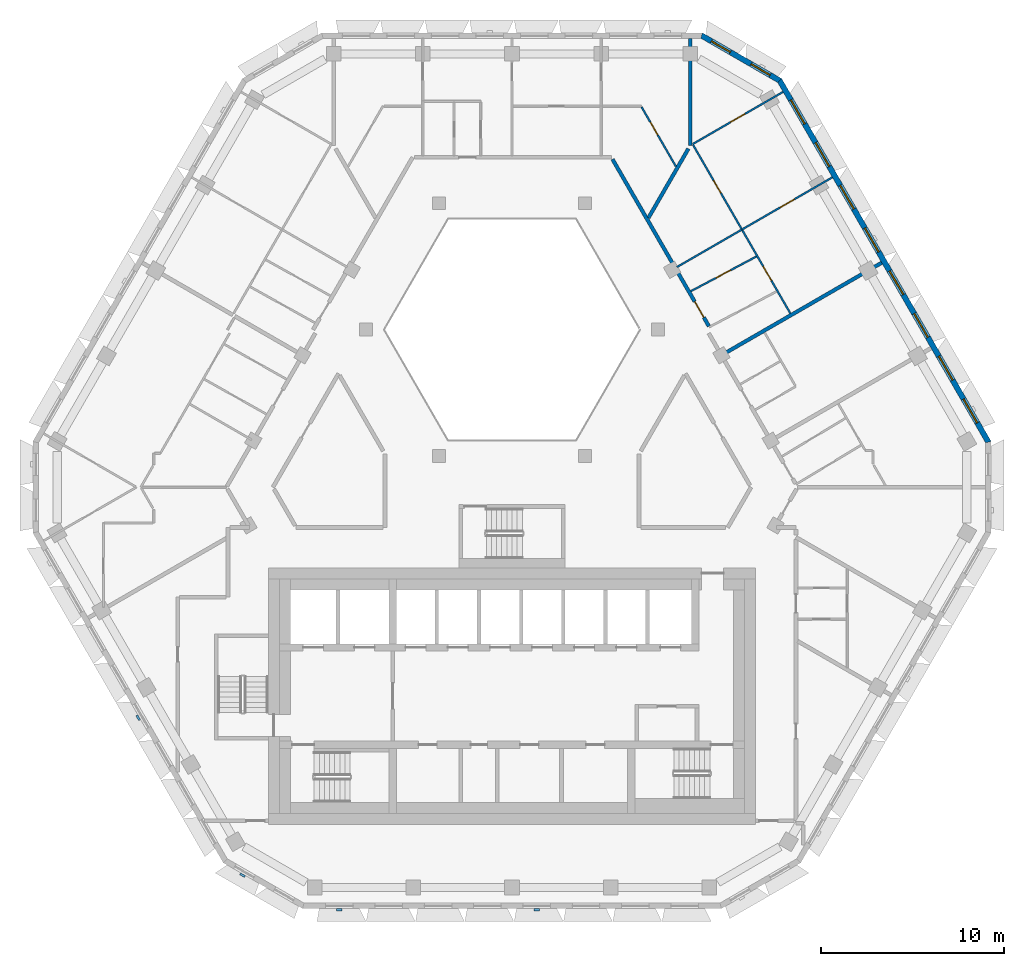
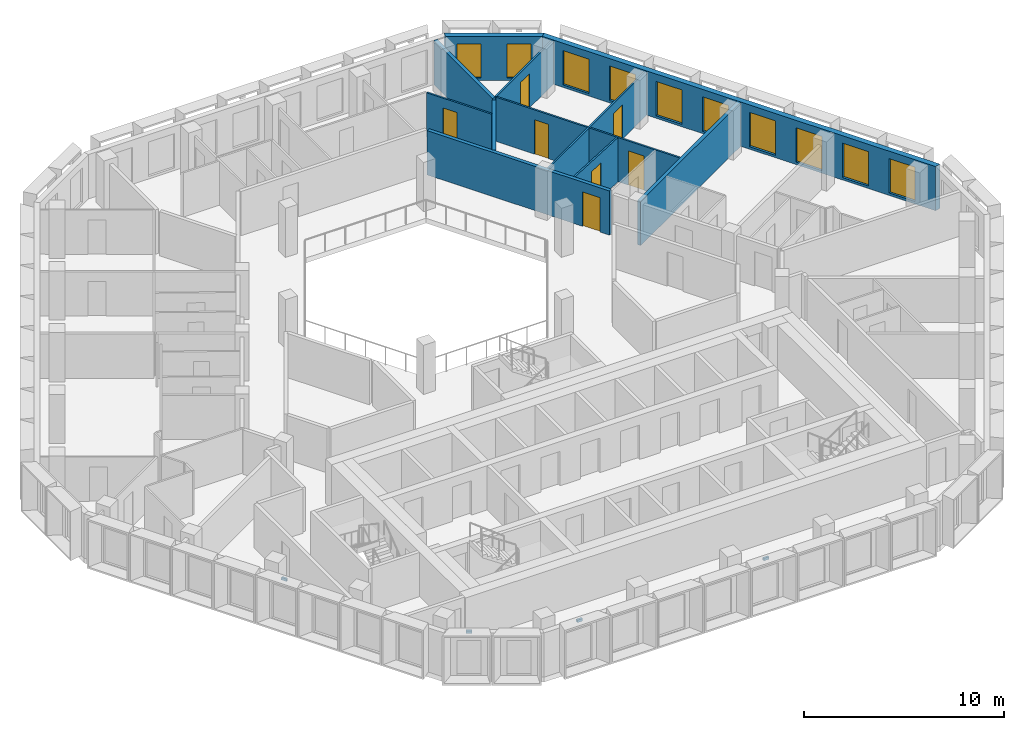
# One storey, part 9 of 18: 12 walls, 10 windows, 7 doors, 4 discrete accessories, 17 openings.
"""IFC4 building model written with IfcOpenShell, lengths in metres."""

from ifc_helpers import new_model, si_unit, direction, frame, frame_2d, origin, place, context, subcontext, project, spatial, polyline, rectangle, outline, extrude, source, transform, mapped, material, layer, layer_set, type_object, type_shapes, element, fill, save


model = new_model("IFC4")

# Units and contexts
model_context = context("Model", 3, precision=1e-05, world=origin(), true_north=direction((0.0, 1.0)))
body_context = subcontext(model_context, "Body", "Model", "MODEL_VIEW")
ifc_project = project(units=[si_unit("LENGTHUNIT", "METRE"), si_unit("AREAUNIT", "SQUARE_METRE"), si_unit("VOLUMEUNIT", "CUBIC_METRE"), si_unit("PLANEANGLEUNIT", "RADIAN"), si_unit("MASSUNIT", "GRAM", prefix="KILO")], contexts=[model_context])

# Site, building, storey
site_placement = place(None, origin())
site = spatial("IfcSite", under=ifc_project, at=site_placement, CompositionType="ELEMENT")
building_placement = place(site_placement, origin())
building = spatial("IfcBuilding", under=site, at=building_placement, Name="Beryl Residences", CompositionType="ELEMENT")
storey_placement = place(building_placement, frame((0.0, 0.0, 190.199951171875)))
storey = spatial("IfcBuildingStorey", under=building, at=storey_placement, Name="L58", CompositionType="ELEMENT", Elevation=190.199951171875)

# Wall, openings, windows
ifc_material_1 = material(Name="Composite metal panel with mineral wool insulation")
ifc_layer_1 = layer(ifc_material_1, 0.300048828125)
ifc_layer_set_1 = layer_set([ifc_layer_1], Name="ES1 pale metal composite panel wall 300 mm")
wall_type_1 = type_object("IfcWallType", Name="ES1 pale metal composite panel wall 300 mm", PredefinedType="SOLIDWALL", material=ifc_layer_set_1)
wall_1_placement = place(storey_placement, frame((26.02392578125, 1.824951171875, 0.0), z_axis=(0.0, 0.0, 1.0), x_axis=(-0.500010537973, 0.866019319597, 0.0)))
wall_1 = element("IfcWall", 1, at=wall_1_placement, inside=storey, type_object=wall_type_1, Name="ES1 external wall L58 NE", PredefinedType="SOLIDWALL", context=body_context, shape_type="SweptSolid", body=[
    extrude(outline(polyline([(0.0, -0.14990234375), (22.86328125, -0.14990234375), (22.782958984375, 0.14990234375), (0.080322265625, 0.14990234375), (0.0, -0.14990234375)])), origin(), (0.0, 0.0, 1.0), 2.699951171875),
])
opening_1_placement = place(wall_1_placement, frame((1.259033203125, 0.0, 0.14990234375)))
opening_1 = element("IfcOpeningElement", 2, at=opening_1_placement, cuts=wall_1, Name="Opening W1", PredefinedType="OPENING", context=body_context, shape_type="SweptSolid", body=[
    extrude(rectangle(XDim=1.5, YDim=2.10009765625, at=frame_2d((0.75, 1.050048828125))), frame((0.0, 0.159912109375, 0.0), z_axis=(0.0, -1.0, 0.0), x_axis=(1.0, 0.0, 0.0)), (0.0, 0.0, 1.0), 0.320068359375),
])
opening_2_placement = place(wall_1_placement, frame((3.951904296875, 0.0, 0.14990234375)))
opening_2 = element("IfcOpeningElement", 3, at=opening_2_placement, cuts=wall_1, Name="Opening W1", PredefinedType="OPENING", context=body_context, shape_type="SweptSolid", body=[
    extrude(rectangle(XDim=1.5, YDim=2.10009765625, at=frame_2d((0.75, 1.050048828125))), frame((0.0, 0.159912109375, 0.0), z_axis=(0.0, -1.0, 0.0), x_axis=(1.0, 0.0, 0.0)), (0.0, 0.0, 1.0), 0.320068359375),
])
opening_3_placement = place(wall_1_placement, frame((6.64404296875, 0.0, 0.14990234375)))
opening_3 = element("IfcOpeningElement", 4, at=opening_3_placement, cuts=wall_1, Name="Opening W1", PredefinedType="OPENING", context=body_context, shape_type="SweptSolid", body=[
    extrude(rectangle(XDim=1.5, YDim=2.10009765625, at=frame_2d((0.75, 1.050048828125))), frame((0.0, 0.159912109375, 0.0), z_axis=(0.0, -1.0, 0.0), x_axis=(1.0, 0.0, 0.0)), (0.0, 0.0, 1.0), 0.320068359375),
])
opening_4_placement = place(wall_1_placement, frame((9.3349609375, 0.0, 0.14990234375)))
opening_4 = element("IfcOpeningElement", 5, at=opening_4_placement, cuts=wall_1, Name="Opening W1", PredefinedType="OPENING", context=body_context, shape_type="SweptSolid", body=[
    extrude(rectangle(XDim=1.5, YDim=2.10009765625, at=frame_2d((0.75, 1.050048828125))), frame((0.0, 0.159912109375, 0.0), z_axis=(0.0, -1.0, 0.0), x_axis=(1.0, 0.0, 0.0)), (0.0, 0.0, 1.0), 0.320068359375),
])
opening_5_placement = place(wall_1_placement, frame((12.028076171875, 0.0, 0.14990234375)))
opening_5 = element("IfcOpeningElement", 6, at=opening_5_placement, cuts=wall_1, Name="Opening W1", PredefinedType="OPENING", context=body_context, shape_type="SweptSolid", body=[
    extrude(rectangle(XDim=1.5, YDim=2.10009765625, at=frame_2d((0.75, 1.050048828125))), frame((0.0, 0.159912109375, 0.0), z_axis=(0.0, -1.0, 0.0), x_axis=(1.0, 0.0, 0.0)), (0.0, 0.0, 1.0), 0.320068359375),
])
opening_6_placement = place(wall_1_placement, frame((14.719970703125, 0.0, 0.14990234375)))
opening_6 = element("IfcOpeningElement", 7, at=opening_6_placement, cuts=wall_1, Name="Opening W1", PredefinedType="OPENING", context=body_context, shape_type="SweptSolid", body=[
    extrude(rectangle(XDim=1.5, YDim=2.10009765625, at=frame_2d((0.75, 1.050048828125))), frame((0.0, 0.159912109375, 0.0), z_axis=(0.0, -1.0, 0.0), x_axis=(1.0, 0.0, 0.0)), (0.0, 0.0, 1.0), 0.320068359375),
])
opening_7_placement = place(wall_1_placement, frame((17.410888671875, 0.0, 0.14990234375)))
opening_7 = element("IfcOpeningElement", 8, at=opening_7_placement, cuts=wall_1, Name="Opening W1", PredefinedType="OPENING", context=body_context, shape_type="SweptSolid", body=[
    extrude(rectangle(XDim=1.5, YDim=2.10009765625, at=frame_2d((0.75, 1.050048828125))), frame((0.0, 0.159912109375, 0.0), z_axis=(0.0, -1.0, 0.0), x_axis=(1.0, 0.0, 0.0)), (0.0, 0.0, 1.0), 0.320068359375),
])
opening_8_placement = place(wall_1_placement, frame((20.10400390625, 0.0, 0.14990234375)))
opening_8 = element("IfcOpeningElement", 9, at=opening_8_placement, cuts=wall_1, Name="Opening W1", PredefinedType="OPENING", context=body_context, shape_type="SweptSolid", body=[
    extrude(rectangle(XDim=1.5, YDim=2.10009765625, at=frame_2d((0.75, 1.050048828125))), frame((0.0, 0.159912109375, 0.0), z_axis=(0.0, -1.0, 0.0), x_axis=(1.0, 0.0, 0.0)), (0.0, 0.0, 1.0), 0.320068359375),
])
ifc_material_2 = material(Name="Aluminium and clear glass", Category="aluminium")
window_type_1 = type_object("IfcWindowType", Name="W1 cell window 1500 x 2100 mm", PartitioningType="SINGLE_PANEL", PredefinedType="WINDOW", material=ifc_material_2)
window_1_placement = place(opening_1_placement, origin())
window_1 = element("IfcWindow", 10, at=window_1_placement, inside=storey, type_object=window_type_1, Name="W1 window L58 NE 1", OverallHeight=2.10009765625, OverallWidth=1.5, PartitioningType="SINGLE_PANEL", PredefinedType="WINDOW", context=body_context, shape_type="SweptSolid", body=[
    extrude(rectangle(XDim=1.5, YDim=2.10009765625, at=frame_2d((0.75, 1.050048828125))), frame((0.0, 0.030029296875, 0.0), z_axis=(0.0, -1.0, 0.0), x_axis=(1.0, 0.0, 0.0)), (0.0, 0.0, 1.0), 0.06005859375),
])
fill(opening_1, window_1)
window_2_placement = place(opening_2_placement, origin())
window_2 = element("IfcWindow", 11, at=window_2_placement, inside=storey, type_object=window_type_1, Name="W1 window L58 NE 2", OverallHeight=2.10009765625, OverallWidth=1.5, PartitioningType="SINGLE_PANEL", PredefinedType="WINDOW", context=body_context, shape_type="SweptSolid", body=[
    extrude(rectangle(XDim=1.5, YDim=2.10009765625, at=frame_2d((0.75, 1.050048828125))), frame((0.0, 0.030029296875, 0.0), z_axis=(0.0, -1.0, 0.0), x_axis=(1.0, 0.0, 0.0)), (0.0, 0.0, 1.0), 0.06005859375),
])
fill(opening_2, window_2)
window_3_placement = place(opening_3_placement, origin())
window_3 = element("IfcWindow", 12, at=window_3_placement, inside=storey, type_object=window_type_1, Name="W1 window L58 NE 3", OverallHeight=2.10009765625, OverallWidth=1.5, PartitioningType="SINGLE_PANEL", PredefinedType="WINDOW", context=body_context, shape_type="SweptSolid", body=[
    extrude(rectangle(XDim=1.5, YDim=2.10009765625, at=frame_2d((0.75, 1.050048828125))), frame((0.0, 0.030029296875, 0.0), z_axis=(0.0, -1.0, 0.0), x_axis=(1.0, 0.0, 0.0)), (0.0, 0.0, 1.0), 0.06005859375),
])
fill(opening_3, window_3)
window_4_placement = place(opening_4_placement, origin())
window_4 = element("IfcWindow", 13, at=window_4_placement, inside=storey, type_object=window_type_1, Name="W1 window L58 NE 4", OverallHeight=2.10009765625, OverallWidth=1.5, PartitioningType="SINGLE_PANEL", PredefinedType="WINDOW", context=body_context, shape_type="SweptSolid", body=[
    extrude(rectangle(XDim=1.5, YDim=2.10009765625, at=frame_2d((0.75, 1.050048828125))), frame((0.0, 0.030029296875, 0.0), z_axis=(0.0, -1.0, 0.0), x_axis=(1.0, 0.0, 0.0)), (0.0, 0.0, 1.0), 0.06005859375),
])
fill(opening_4, window_4)
window_5_placement = place(opening_5_placement, origin())
window_5 = element("IfcWindow", 14, at=window_5_placement, inside=storey, type_object=window_type_1, Name="W1 window L58 NE 5", OverallHeight=2.10009765625, OverallWidth=1.5, PartitioningType="SINGLE_PANEL", PredefinedType="WINDOW", context=body_context, shape_type="SweptSolid", body=[
    extrude(rectangle(XDim=1.5, YDim=2.10009765625, at=frame_2d((0.75, 1.050048828125))), frame((0.0, 0.030029296875, 0.0), z_axis=(0.0, -1.0, 0.0), x_axis=(1.0, 0.0, 0.0)), (0.0, 0.0, 1.0), 0.06005859375),
])
fill(opening_5, window_5)
window_6_placement = place(opening_6_placement, origin())
window_6 = element("IfcWindow", 15, at=window_6_placement, inside=storey, type_object=window_type_1, Name="W1 window L58 NE 6", OverallHeight=2.10009765625, OverallWidth=1.5, PartitioningType="SINGLE_PANEL", PredefinedType="WINDOW", context=body_context, shape_type="SweptSolid", body=[
    extrude(rectangle(XDim=1.5, YDim=2.10009765625, at=frame_2d((0.75, 1.050048828125))), frame((0.0, 0.030029296875, 0.0), z_axis=(0.0, -1.0, 0.0), x_axis=(1.0, 0.0, 0.0)), (0.0, 0.0, 1.0), 0.06005859375),
])
fill(opening_6, window_6)
window_7_placement = place(opening_7_placement, origin())
window_7 = element("IfcWindow", 16, at=window_7_placement, inside=storey, type_object=window_type_1, Name="W1 window L58 NE 7", OverallHeight=2.10009765625, OverallWidth=1.5, PartitioningType="SINGLE_PANEL", PredefinedType="WINDOW", context=body_context, shape_type="SweptSolid", body=[
    extrude(rectangle(XDim=1.5, YDim=2.10009765625, at=frame_2d((0.75, 1.050048828125))), frame((0.0, 0.030029296875, 0.0), z_axis=(0.0, -1.0, 0.0), x_axis=(1.0, 0.0, 0.0)), (0.0, 0.0, 1.0), 0.06005859375),
])
fill(opening_7, window_7)
window_8_placement = place(opening_8_placement, origin())
window_8 = element("IfcWindow", 17, at=window_8_placement, inside=storey, type_object=window_type_1, Name="W1 window L58 NE 8", OverallHeight=2.10009765625, OverallWidth=1.5, PartitioningType="SINGLE_PANEL", PredefinedType="WINDOW", context=body_context, shape_type="SweptSolid", body=[
    extrude(rectangle(XDim=1.5, YDim=2.10009765625, at=frame_2d((0.75, 1.050048828125))), frame((0.0, 0.030029296875, 0.0), z_axis=(0.0, -1.0, 0.0), x_axis=(1.0, 0.0, 0.0)), (0.0, 0.0, 1.0), 0.06005859375),
])
fill(opening_8, window_8)

wall_2_placement = place(storey_placement, frame((14.64697265625, 21.570068359375, 0.0), z_axis=(0.0, 0.0, 1.0), x_axis=(-0.866022959057, 0.500004234368, 0.0)))
wall_2 = element("IfcWall", 18, at=wall_2_placement, inside=storey, type_object=wall_type_1, Name="ES1 external wall L58 NE-N", PredefinedType="SOLIDWALL", context=body_context, shape_type="SweptSolid", body=[
    extrude(outline(polyline([(0.0, -0.14990234375), (5.0, -0.14990234375), (4.919677734375, 0.14990234375), (0.080322265625, 0.14990234375), (0.0, -0.14990234375)])), origin(), (0.0, 0.0, 1.0), 2.699951171875),
])
opening_9_placement = place(wall_2_placement, frame((0.64990234375, 0.0, 0.14990234375)))
opening_9 = element("IfcOpeningElement", 19, at=opening_9_placement, cuts=wall_2, Name="Opening W2", PredefinedType="OPENING", context=body_context, shape_type="SweptSolid", body=[
    extrude(rectangle(XDim=1.199951171875, YDim=2.10009765625, at=frame_2d((0.60009765625, 1.050048828125))), frame((0.0, 0.159912109375, 0.0), z_axis=(0.0, -1.0, 0.0), x_axis=(1.0, 0.0, 0.0)), (0.0, 0.0, 1.0), 0.320068359375),
])
opening_10_placement = place(wall_2_placement, frame((3.14990234375, 0.0, 0.14990234375)))
opening_10 = element("IfcOpeningElement", 20, at=opening_10_placement, cuts=wall_2, Name="Opening W2", PredefinedType="OPENING", context=body_context, shape_type="SweptSolid", body=[
    extrude(rectangle(XDim=1.199951171875, YDim=2.10009765625, at=frame_2d((0.60009765625, 1.050048828125))), frame((0.0, 0.159912109375, 0.0), z_axis=(0.0, -1.0, 0.0), x_axis=(1.0, 0.0, 0.0)), (0.0, 0.0, 1.0), 0.320068359375),
])
ifc_material_3 = material(Name="Aluminium and clear glass", Category="aluminium")
window_type_2 = type_object("IfcWindowType", Name="W2 chamfer window 1200 x 2100 mm", PartitioningType="SINGLE_PANEL", PredefinedType="WINDOW", material=ifc_material_3)
window_9_placement = place(opening_9_placement, origin())
window_9 = element("IfcWindow", 21, at=window_9_placement, inside=storey, type_object=window_type_2, Name="W2 window L58 NE-N 1", OverallHeight=2.10009765625, OverallWidth=1.199951171875, PartitioningType="SINGLE_PANEL", PredefinedType="WINDOW", context=body_context, shape_type="SweptSolid", body=[
    extrude(rectangle(XDim=1.199951171875, YDim=2.10009765625, at=frame_2d((0.60009765625, 1.050048828125))), frame((0.0, 0.030029296875, 0.0), z_axis=(0.0, -1.0, 0.0), x_axis=(1.0, 0.0, 0.0)), (0.0, 0.0, 1.0), 0.06005859375),
])
fill(opening_9, window_9)
window_10_placement = place(opening_10_placement, origin())
window_10 = element("IfcWindow", 22, at=window_10_placement, inside=storey, type_object=window_type_2, Name="W2 window L58 NE-N 2", OverallHeight=2.10009765625, OverallWidth=1.199951171875, PartitioningType="SINGLE_PANEL", PredefinedType="WINDOW", context=body_context, shape_type="SweptSolid", body=[
    extrude(rectangle(XDim=1.199951171875, YDim=2.10009765625, at=frame_2d((0.60009765625, 1.050048828125))), frame((0.0, 0.030029296875, 0.0), z_axis=(0.0, -1.0, 0.0), x_axis=(1.0, 0.0, 0.0)), (0.0, 0.0, 1.0), 0.06005859375),
])
fill(opening_10, window_10)

# Wall, opening, door
ifc_material_4 = material(Name="Gypsum board partition on steel studs", Category="steel")
ifc_layer_2 = layer(ifc_material_4, 0.10009765625)
ifc_layer_set_2 = layer_set([ifc_layer_2], Name="PT1 partition 100 mm gypsum board on steel studs")
wall_type_2 = type_object("IfcWallType", Name="PT1 partition 100 mm gypsum board on steel studs", PredefinedType="PARTITIONING", material=ifc_layer_set_2)
wall_3_placement = place(storey_placement, frame((7.072998046875, 20.14990234375, 0.0), z_axis=(0.0, 0.0, 1.0), x_axis=(0.499917691695, -0.866072919292, 0.0)))
wall_3 = element("IfcWall", 23, at=wall_3_placement, inside=storey, type_object=wall_type_2, Name="Wall PT1 L58 003", PredefinedType="PARTITIONING", context=body_context, shape_type="SweptSolid", body=[
    extrude(rectangle(XDim=3.752685546875, YDim=0.10009765625, at=frame_2d((1.87646484375, 0.0))), origin(), (0.0, 0.0, 1.0), 2.699951171875),
])
opening_11_placement = place(wall_3_placement, frame((0.9599609375, 0.0, 0.0)))
opening_11 = element("IfcOpeningElement", 24, at=opening_11_placement, cuts=wall_3, Name="Opening D1514", PredefinedType="OPENING", context=body_context, shape_type="SweptSolid", body=[
    extrude(rectangle(XDim=0.800048828125, YDim=2.10009765625, at=frame_2d((0.39990234375, 1.050048828125))), frame((0.0, 0.06005859375, 0.0), z_axis=(0.0, -1.0, 0.0), x_axis=(1.0, 0.0, 0.0)), (0.0, 0.0, 1.0), 0.1201171875),
])
ifc_material_5 = material(Name="Timber door leaf", Category="wood")
door_type_1 = type_object("IfcDoorType", Name="D3 bathroom door 800 x 2100 mm", OperationType="SINGLE_SWING_LEFT", PredefinedType="DOOR", material=ifc_material_5)
door_1_placement = place(opening_11_placement, origin())
door_1 = element("IfcDoor", 25, at=door_1_placement, inside=storey, type_object=door_type_1, Name="Door D1514 L58 001", OperationType="SINGLE_SWING_RIGHT", OverallHeight=2.10009765625, OverallWidth=0.800048828125, PredefinedType="DOOR", context=body_context, shape_type="SweptSolid", body=[
    extrude(rectangle(XDim=0.800048828125, YDim=2.10009765625, at=frame_2d((0.39990234375, 1.050048828125))), frame((0.0, 0.02490234375, 0.0), z_axis=(0.0, -1.0, 0.0), x_axis=(1.0, 0.0, 0.0)), (0.0, 0.0, 1.0), 0.050048828125),
])
fill(opening_11, door_1)

# Wall, openings, doors
wall_4_placement = place(storey_placement, frame((9.883056640625, 18.08203125, 0.0), z_axis=(0.0, 0.0, 1.0), x_axis=(0.500004428835, -0.86602284678, 0.0)))
wall_4 = element("IfcWall", 26, at=wall_4_placement, inside=storey, type_object=wall_type_2, Name="Wall PT1 L58 006", PredefinedType="PARTITIONING", context=body_context, shape_type="SweptSolid", body=[
    extrude(rectangle(XDim=10.61767578125, YDim=0.10009765625, at=frame_2d((5.308837890625, 0.0))), origin(), (0.0, 0.0, 1.0), 2.699951171875),
])
opening_12_placement = place(wall_4_placement, frame((7.656982421875, 0.0, 0.0)))
opening_12 = element("IfcOpeningElement", 27, at=opening_12_placement, cuts=wall_4, Name="Opening D1504", PredefinedType="OPENING", context=body_context, shape_type="SweptSolid", body=[
    extrude(rectangle(XDim=0.89990234375, YDim=2.10009765625, at=frame_2d((0.449951171875, 1.050048828125))), frame((0.0, 0.06005859375, 0.0), z_axis=(0.0, -1.0, 0.0), x_axis=(1.0, 0.0, 0.0)), (0.0, 0.0, 1.0), 0.1201171875),
])
opening_13_placement = place(wall_4_placement, frame((2.241943359375, 0.0, 0.0)))
opening_13 = element("IfcOpeningElement", 28, at=opening_13_placement, cuts=wall_4, Name="Opening D1507", PredefinedType="OPENING", context=body_context, shape_type="SweptSolid", body=[
    extrude(rectangle(XDim=0.800048828125, YDim=2.10009765625, at=frame_2d((0.39990234375, 1.050048828125))), frame((0.0, 0.06005859375, 0.0), z_axis=(0.0, -1.0, 0.0), x_axis=(1.0, 0.0, 0.0)), (0.0, 0.0, 1.0), 0.1201171875),
])
ifc_material_6 = material(Name="Timber door leaf", Category="wood")
door_type_2 = type_object("IfcDoorType", Name="D2 room door 900 x 2100 mm", OperationType="SINGLE_SWING_LEFT", PredefinedType="DOOR", material=ifc_material_6)
door_2_placement = place(opening_12_placement, origin())
door_2 = element("IfcDoor", 29, at=door_2_placement, inside=storey, type_object=door_type_2, Name="Door D1504 L58 001", OperationType="SINGLE_SWING_RIGHT", OverallHeight=2.10009765625, OverallWidth=0.89990234375, PredefinedType="DOOR", context=body_context, shape_type="SweptSolid", body=[
    extrude(rectangle(XDim=0.89990234375, YDim=2.10009765625, at=frame_2d((0.449951171875, 1.050048828125))), frame((0.0, 0.02490234375, 0.0), z_axis=(0.0, -1.0, 0.0), x_axis=(1.0, 0.0, 0.0)), (0.0, 0.0, 1.0), 0.050048828125),
])
fill(opening_12, door_2)
door_3_placement = place(opening_13_placement, origin())
door_3 = element("IfcDoor", 30, at=door_3_placement, inside=storey, type_object=door_type_1, Name="Door D1507 L58 001", OperationType="SINGLE_SWING_LEFT", OverallHeight=2.10009765625, OverallWidth=0.800048828125, PredefinedType="DOOR", context=body_context, shape_type="SweptSolid", body=[
    extrude(rectangle(XDim=0.800048828125, YDim=2.10009765625, at=frame_2d((0.39990234375, 1.050048828125))), frame((0.0, 0.02490234375, 0.0), z_axis=(0.0, -1.0, 0.0), x_axis=(1.0, 0.0, 0.0)), (0.0, 0.0, 1.0), 0.050048828125),
])
fill(opening_13, door_3)

# Wall, opening, door
wall_5_placement = place(storey_placement, frame((9.760009765625, 10.095947265625, 0.0), z_axis=(0.0, 0.0, 1.0), x_axis=(0.883925629136, 0.467627503636, 0.0)))
wall_5 = element("IfcWall", 31, at=wall_5_placement, inside=storey, type_object=wall_type_2, Name="Wall PT1 L58 040", PredefinedType="PARTITIONING", context=body_context, shape_type="SweptSolid", body=[
    extrude(rectangle(XDim=4.052490234375, YDim=0.10009765625, at=frame_2d((2.0263671875, 0.0))), origin(), (0.0, 0.0, 1.0), 2.699951171875),
])
opening_14_placement = place(wall_5_placement, frame((1.551025390625, 0.0, 0.0)))
opening_14 = element("IfcOpeningElement", 32, at=opening_14_placement, cuts=wall_5, Name="Opening D1503", PredefinedType="OPENING", context=body_context, shape_type="SweptSolid", body=[
    extrude(rectangle(XDim=0.89990234375, YDim=2.10009765625, at=frame_2d((0.449951171875, 1.050048828125))), frame((0.0, 0.06005859375, 0.0), z_axis=(0.0, -1.0, 0.0), x_axis=(1.0, 0.0, 0.0)), (0.0, 0.0, 1.0), 0.1201171875),
])
door_4_placement = place(opening_14_placement, origin())
door_4 = element("IfcDoor", 33, at=door_4_placement, inside=storey, type_object=door_type_2, Name="Door D1503 L58 001", OperationType="SINGLE_SWING_LEFT", OverallHeight=2.10009765625, OverallWidth=0.89990234375, PredefinedType="DOOR", context=body_context, shape_type="SweptSolid", body=[
    extrude(rectangle(XDim=0.89990234375, YDim=2.10009765625, at=frame_2d((0.449951171875, 1.050048828125))), frame((0.0, 0.02490234375, 0.0), z_axis=(0.0, -1.0, 0.0), x_axis=(1.0, 0.0, 0.0)), (0.0, 0.0, 1.0), 0.050048828125),
])
fill(opening_14, door_4)

# Wall
wall_6_placement = place(storey_placement, frame((8.9990234375, 11.4130859375, 0.0), z_axis=(0.0, 0.0, 1.0), x_axis=(0.86606561423, 0.499930346997, 0.0)))
element("IfcWall", 34, at=wall_6_placement, inside=storey, type_object=wall_type_2, Name="Wall PT1 L58 044", PredefinedType="PARTITIONING", context=body_context, shape_type="SweptSolid", body=[
    extrude(rectangle(XDim=4.10009765625, YDim=0.10009765625, at=frame_2d((2.050048828125, 0.0))), origin(), (0.0, 0.0, 1.0), 2.699951171875),
])

# Wall, opening, door
wall_7_placement = place(storey_placement, frame((9.85791015625, 18.125, 0.0), z_axis=(0.0, 0.0, 1.0), x_axis=(0.866004402611, 0.500036373335, 0.0)))
wall_7 = element("IfcWall", 35, at=wall_7_placement, inside=storey, type_object=wall_type_2, Name="Wall PT1 L58 046", PredefinedType="PARTITIONING", context=body_context, shape_type="SweptSolid", body=[
    extrude(rectangle(XDim=5.69970703125, YDim=0.10009765625, at=frame_2d((2.849853515625, 0.0))), origin(), (0.0, 0.0, 1.0), 2.699951171875),
])
opening_15_placement = place(wall_7_placement, frame((2.39990234375, 0.0, 0.0)))
opening_15 = element("IfcOpeningElement", 36, at=opening_15_placement, cuts=wall_7, Name="Opening D1506", PredefinedType="OPENING", context=body_context, shape_type="SweptSolid", body=[
    extrude(rectangle(XDim=0.89990234375, YDim=2.10009765625, at=frame_2d((0.449951171875, 1.050048828125))), frame((0.0, 0.06005859375, 0.0), z_axis=(0.0, -1.0, 0.0), x_axis=(1.0, 0.0, 0.0)), (0.0, 0.0, 1.0), 0.1201171875),
])
door_5_placement = place(opening_15_placement, origin())
door_5 = element("IfcDoor", 37, at=door_5_placement, inside=storey, type_object=door_type_2, Name="Door D1506 L58 001", OperationType="SINGLE_SWING_RIGHT", OverallHeight=2.10009765625, OverallWidth=0.89990234375, PredefinedType="DOOR", context=body_context, shape_type="SweptSolid", body=[
    extrude(rectangle(XDim=0.89990234375, YDim=2.10009765625, at=frame_2d((0.449951171875, 1.050048828125))), frame((0.0, 0.02490234375, 0.0), z_axis=(0.0, -1.0, 0.0), x_axis=(1.0, 0.0, 0.0)), (0.0, 0.0, 1.0), 0.050048828125),
])
fill(opening_15, door_5)

wall_8_placement = place(storey_placement, frame((12.550048828125, 13.462890625, 0.0), z_axis=(0.0, 0.0, 1.0), x_axis=(0.866004402611, 0.500036373335, 0.0)))
wall_8 = element("IfcWall", 38, at=wall_8_placement, inside=storey, type_object=wall_type_2, Name="Wall PT1 L58 049", PredefinedType="PARTITIONING", context=body_context, shape_type="SweptSolid", body=[
    extrude(rectangle(XDim=5.69970703125, YDim=0.10009765625, at=frame_2d((2.849853515625, 0.0))), origin(), (0.0, 0.0, 1.0), 2.699951171875),
])
opening_16_placement = place(wall_8_placement, frame((2.39990234375, 0.0, 0.0)))
opening_16 = element("IfcOpeningElement", 39, at=opening_16_placement, cuts=wall_8, Name="Opening D1505", PredefinedType="OPENING", context=body_context, shape_type="SweptSolid", body=[
    extrude(rectangle(XDim=0.89990234375, YDim=2.10009765625, at=frame_2d((0.449951171875, 1.050048828125))), frame((0.0, 0.06005859375, 0.0), z_axis=(0.0, -1.0, 0.0), x_axis=(1.0, 0.0, 0.0)), (0.0, 0.0, 1.0), 0.1201171875),
])
door_6_placement = place(opening_16_placement, origin())
door_6 = element("IfcDoor", 40, at=door_6_placement, inside=storey, type_object=door_type_2, Name="Door D1505 L58 001", OperationType="SINGLE_SWING_LEFT", OverallHeight=2.10009765625, OverallWidth=0.89990234375, PredefinedType="DOOR", context=body_context, shape_type="SweptSolid", body=[
    extrude(rectangle(XDim=0.89990234375, YDim=2.10009765625, at=frame_2d((0.449951171875, 1.050048828125))), frame((0.0, 0.02490234375, 0.0), z_axis=(0.0, -1.0, 0.0), x_axis=(1.0, 0.0, 0.0)), (0.0, 0.0, 1.0), 0.050048828125),
])
fill(opening_16, door_6)

# Walls
ifc_material_7 = material(Name="Acoustic double stud gypsum board wall")
ifc_layer_3 = layer(ifc_material_7, 0.199951171875)
ifc_layer_set_3 = layer_set([ifc_layer_3], Name="PT3 party wall 200 mm acoustic double stud")
wall_type_3 = type_object("IfcWallType", Name="PT3 party wall 200 mm acoustic double stud", PredefinedType="PARTITIONING", material=ifc_layer_set_3)
wall_9_placement = place(storey_placement, frame((7.447998046875, 14.10009765625, 0.0), z_axis=(0.0, 0.0, 1.0), x_axis=(0.499961462843, 0.866047652079, 0.0)))
element("IfcWall", 41, at=wall_9_placement, inside=storey, type_object=wall_type_3, Name="Wall PT3 L58 008", PredefinedType="PARTITIONING", context=body_context, shape_type="SweptSolid", body=[
    extrude(rectangle(XDim=4.362060546875, YDim=0.199951171875, at=frame_2d((2.18115234375, 0.0))), origin(), (0.0, 0.0, 1.0), 2.699951171875),
])
wall_10_placement = place(storey_placement, frame((9.72802734375, 18.049072265625, 0.0), z_axis=(0.0, 0.0, 1.0), x_axis=(0.0, 1.0, 0.0)))
element("IfcWall", 42, at=wall_10_placement, inside=storey, type_object=wall_type_3, Name="Wall PT3 L58 009", PredefinedType="PARTITIONING", context=body_context, shape_type="SweptSolid", body=[
    extrude(rectangle(XDim=5.850830078125, YDim=0.199951171875, at=frame_2d((2.92529296875, 0.0))), origin(), (0.0, 0.0, 1.0), 2.699951171875),
])
wall_11_placement = place(storey_placement, frame((11.51806640625, 6.64990234375, 0.0), z_axis=(0.0, 0.0, 1.0), x_axis=(0.866016855193, 0.500014806302, 0.0)))
element("IfcWall", 43, at=wall_11_placement, inside=storey, type_object=wall_type_3, Name="Wall PT3 L58 012", PredefinedType="PARTITIONING", context=body_context, shape_type="SweptSolid", body=[
    extrude(rectangle(XDim=9.999755859375, YDim=0.199951171875, at=frame_2d((5.0, 0.0))), origin(), (0.0, 0.0, 1.0), 2.699951171875),
])

# Wall, opening, door
ifc_material_8 = material(Name="Double stud gypsum board wall")
ifc_layer_4 = layer(ifc_material_8, 0.199951171875)
ifc_layer_set_4 = layer_set([ifc_layer_4], Name="PT4 corridor wall 200 mm double stud")
wall_type_4 = type_object("IfcWallType", Name="PT4 corridor wall 200 mm double stud", PredefinedType="PARTITIONING", material=ifc_layer_set_4)
wall_12_placement = place(storey_placement, frame((5.485107421875, 17.300048828125, 0.0), z_axis=(0.0, 0.0, 1.0), x_axis=(0.499998905622, -0.866026035623, 0.0)))
wall_12 = element("IfcWall", 44, at=wall_12_placement, inside=storey, type_object=wall_type_4, Name="Wall PT4 L58 006", PredefinedType="PARTITIONING", context=body_context, shape_type="SweptSolid", body=[
    extrude(rectangle(XDim=10.52392578125, YDim=0.199951171875, at=frame_2d((5.261962890625, 0.0))), origin(), (0.0, 0.0, 1.0), 2.699951171875),
])
opening_17_placement = place(wall_12_placement, frame((8.97412109375, 0.0, 0.0)))
opening_17 = element("IfcOpeningElement", 45, at=opening_17_placement, cuts=wall_12, Name="Opening D1501", PredefinedType="OPENING", context=body_context, shape_type="SweptSolid", body=[
    extrude(rectangle(XDim=1.0, YDim=2.10009765625, at=frame_2d((0.5, 1.050048828125))), frame((0.0, 0.10986328125, 0.0), z_axis=(0.0, -1.0, 0.0), x_axis=(1.0, 0.0, 0.0)), (0.0, 0.0, 1.0), 0.219970703125),
])
ifc_material_9 = material(Name="Timber door leaf", Category="wood")
door_type_3 = type_object("IfcDoorType", Name="D1 flat entrance door 1000 x 2100 mm", OperationType="SINGLE_SWING_LEFT", PredefinedType="DOOR", material=ifc_material_9)
door_7_placement = place(opening_17_placement, origin())
door_7 = element("IfcDoor", 46, at=door_7_placement, inside=storey, type_object=door_type_3, Name="Door D1501 L58 001", OperationType="SINGLE_SWING_LEFT", OverallHeight=2.10009765625, OverallWidth=1.0, PredefinedType="DOOR", context=body_context, shape_type="SweptSolid", body=[
    extrude(rectangle(XDim=1.0, YDim=2.10009765625, at=frame_2d((0.5, 1.050048828125))), frame((0.0, 0.02490234375, 0.0), z_axis=(0.0, -1.0, 0.0), x_axis=(1.0, 0.0, 0.0)), (0.0, 0.0, 1.0), 0.050048828125),
])
fill(opening_17, door_7)

# Discrete accessories
ifc_material_10 = material(Name="Steel S355", Category="steel")
discrete_accessory_type = type_object("IfcDiscreteAccessoryType", Name="BR1 frame bracket 300 x 120 x 150 mm", PredefinedType="BRACKET", material=ifc_material_10)
shared_shape = source(origin(), body_context, "Body", "SweptSolid", [
    extrude(outline(polyline([(-0.14990234375, 0.0), (0.14990234375, 0.0), (0.14990234375, 0.1201171875), (-0.14990234375, 0.1201171875), (-0.14990234375, 0.0)])), origin(), (0.0, 0.0, 1.0), 0.14990234375),
])
type_shapes(discrete_accessory_type, [shared_shape])
for number, where, z_axis, x_axis, name in (
    (47, (-20.35009765625, -13.152099609375, 2.75), (0.0, 0.0, 1.0), (-0.5, 0.866025403784, 0.0), "BR1 bracket L58 SW 5"),
    (48, (-14.677978515625, -21.72509765625, 2.75), (0.0, 0.0, 1.0), (-0.866025403784, 0.5, 0.0), "BR1 bracket L58 SW-S 1"),
    (49, (-9.4208984375, -23.60009765625, 2.75), (0.0, 0.0, 1.0), (-1.0, 0.0, 0.0), "BR1 bracket L58 S 1"),
    (50, (1.346923828125, -23.60009765625, 2.75), (0.0, 0.0, 1.0), (-1.0, 0.0, 0.0), "BR1 bracket L58 S 5"),
):
    element("IfcDiscreteAccessory", number, at=place(storey_placement, frame(where, z_axis=z_axis, x_axis=x_axis)), inside=storey, type_object=discrete_accessory_type, Name=name, PredefinedType="BRACKET", context=body_context, shape_type="MappedRepresentation", body=[
        mapped(shared_shape, transform((0.0, 0.0, 0.0))),
    ])

save(model, "model.ifc")
